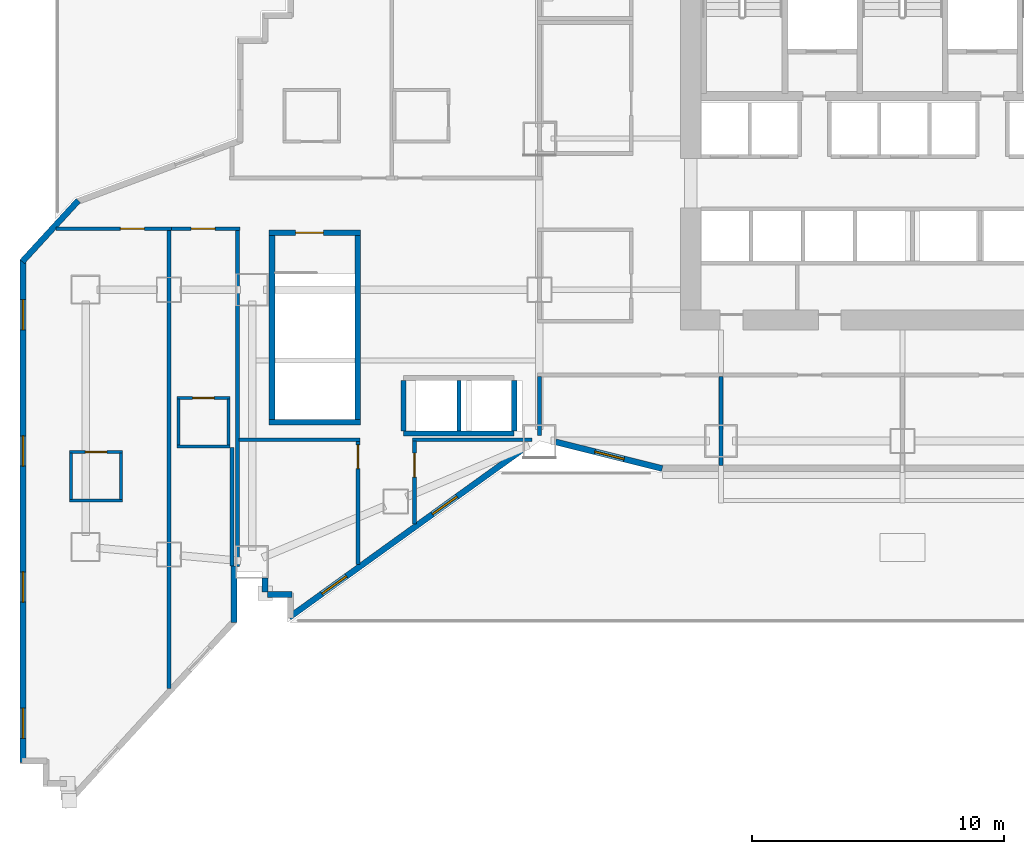
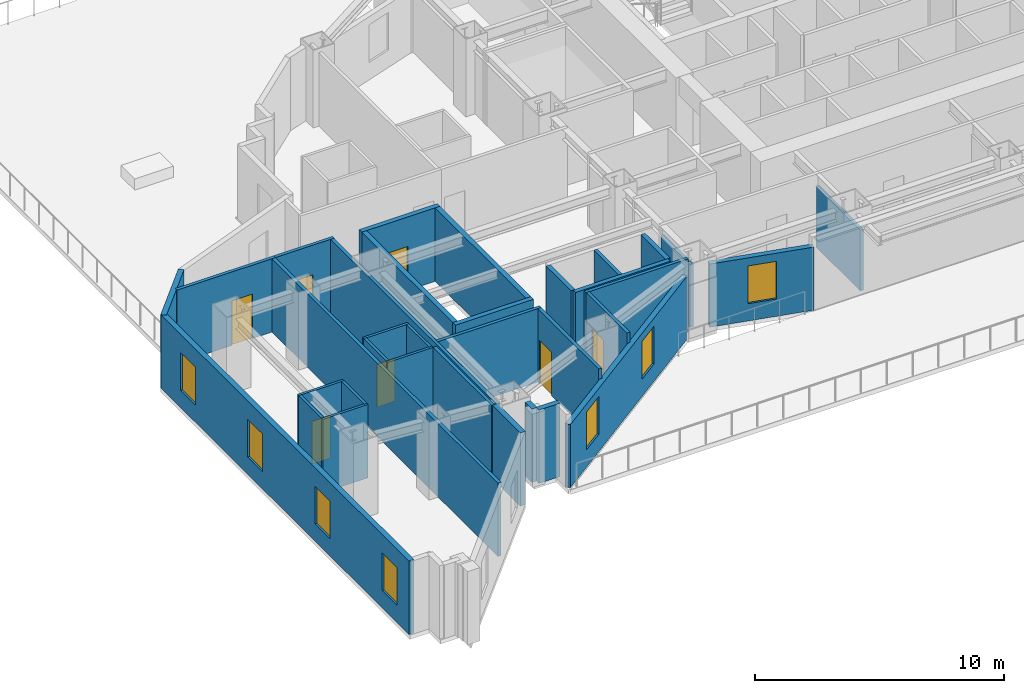
# One storey, part 7 of 20: 34 walls, 7 doors, 7 windows, 14 openings.
"""IFC4 building model written with IfcOpenShell, lengths in metres."""

from ifc_helpers import new_model, si_unit, direction, frame, frame_2d, origin, place, context, subcontext, project, spatial, rectangle, extrude, material, layer, layer_set, type_object, element, fill, save


model = new_model("IFC4")

# Units and contexts
model_context = context("Model", 3, precision=1e-05, world=origin(), true_north=direction((0.0, 1.0)))
body_context = subcontext(model_context, "Body", "Model", "MODEL_VIEW")
ifc_project = project(units=[si_unit("LENGTHUNIT", "METRE"), si_unit("AREAUNIT", "SQUARE_METRE"), si_unit("VOLUMEUNIT", "CUBIC_METRE"), si_unit("PLANEANGLEUNIT", "RADIAN"), si_unit("MASSUNIT", "GRAM", prefix="KILO")], contexts=[model_context])

# Site, building, storey
site_placement = place(None, origin())
site = spatial("IfcSite", under=ifc_project, at=site_placement, CompositionType="ELEMENT")
building_placement = place(site_placement, origin())
building = spatial("IfcBuilding", under=site, at=building_placement, Name="Haolan Belvedere Tower", CompositionType="ELEMENT")
storey_placement = place(building_placement, frame((0.0, 0.0, 24.0)))
storey = spatial("IfcBuildingStorey", under=building, at=storey_placement, Name="L05", CompositionType="ELEMENT", Elevation=24.0)

# Walls
ifc_material_1 = material(Name="Precast concrete C40/50", Category="concrete")
ifc_layer_1 = layer(ifc_material_1, 0.239990234375, Name="Precast concrete C40/50")
ifc_layer_set_1 = layer_set([ifc_layer_1], Name="Precast concrete C40/50")
wall_type_1 = type_object("IfcWallType", Name="WL-EXT-240", PredefinedType="SOLIDWALL", material=ifc_layer_set_1)
wall_1_placement = place(storey_placement, frame((11.8798828125, 14.3916015625, 0.0), z_axis=(0.0, 0.0, 1.0), x_axis=(0.0, 1.0, 0.0)))
element("IfcWall", 1, at=wall_1_placement, inside=storey, type_object=wall_type_1, Name="L05 pale-metal exterior spandrel wall 6.1", PredefinedType="SOLIDWALL", context=body_context, shape_type="SweptSolid", body=[
    extrude(rectangle(XDim=2.248291015625, YDim=0.239990234375, at=frame_2d((1.1240234375, 0.0))), origin(), (0.0, 0.0, 1.0), 3.60009765625),
])
wall_2_placement = place(storey_placement, frame((13.1201171875, 16.157958984375, 0.0), z_axis=(0.0, 0.0, 1.0), x_axis=(0.0, -1.0, 0.0)))
element("IfcWall", 2, at=wall_2_placement, inside=storey, type_object=wall_type_1, Name="L05 pale-metal exterior spandrel wall 8.1", PredefinedType="SOLIDWALL", context=body_context, shape_type="SweptSolid", body=[
    extrude(rectangle(XDim=0.552978515625, YDim=0.239990234375, at=frame_2d((0.2763671875, 0.0))), origin(), (0.0, 0.0, 1.0), 3.60009765625),
])
wall_3_placement = place(storey_placement, frame((13.205078125, 15.52001953125, 0.0), z_axis=(0.0, 0.0, 1.0), x_axis=(1.0, 0.0, 0.0)))
element("IfcWall", 3, at=wall_3_placement, inside=storey, type_object=wall_type_1, Name="L05 pale-metal exterior spandrel wall 9.1", PredefinedType="SOLIDWALL", context=body_context, shape_type="SweptSolid", body=[
    extrude(rectangle(XDim=0.969970703125, YDim=0.239990234375, at=frame_2d((0.48486328125, 0.0))), origin(), (0.0, 0.0, 1.0), 3.60009765625),
])

# Wall, openings, windows
wall_4_placement = place(storey_placement, frame((14.075439453125, 14.602294921875, 0.0), z_axis=(0.0, 0.0, 1.0), x_axis=(0.811535555989, 0.584303038984, 0.0)))
wall_4 = element("IfcWall", 4, at=wall_4_placement, inside=storey, type_object=wall_type_1, Name="L05 pale-metal exterior spandrel wall 11.1", PredefinedType="SOLIDWALL", context=body_context, shape_type="SweptSolid", body=[
    extrude(rectangle(XDim=11.438232421875, YDim=0.239990234375, at=frame_2d((5.71923828125, 0.0))), origin(), (0.0, 0.0, 1.0), 3.096923828125),
])
opening_1_placement = place(wall_4_placement, frame((1.60009765625, 0.0, 0.85009765625)))
opening_1 = element("IfcOpeningElement", 5, at=opening_1_placement, cuts=wall_4, Name="Opening W-01", PredefinedType="OPENING", context=body_context, shape_type="SweptSolid", body=[
    extrude(rectangle(XDim=1.199951171875, YDim=1.85009765625, at=frame_2d((0.60009765625, 0.925048828125))), frame((0.0, 0.1298828125, 0.0), z_axis=(0.0, -1.0, 0.0), x_axis=(1.0, 0.0, 0.0)), (0.0, 0.0, 1.0), 0.260009765625),
])
opening_2_placement = place(wall_4_placement, frame((7.0, 0.0, 0.85009765625)))
opening_2 = element("IfcOpeningElement", 6, at=opening_2_placement, cuts=wall_4, Name="Opening W-01", PredefinedType="OPENING", context=body_context, shape_type="SweptSolid", body=[
    extrude(rectangle(XDim=1.199951171875, YDim=1.85009765625, at=frame_2d((0.60009765625, 0.925048828125))), frame((0.0, 0.1298828125, 0.0), z_axis=(0.0, -1.0, 0.0), x_axis=(1.0, 0.0, 0.0)), (0.0, 0.0, 1.0), 0.260009765625),
])
ifc_material_2 = material(Name="Anodised aluminium 6063-T6 and Low-E glass", Category="aluminium")
window_type = type_object("IfcWindowType", Name="WN-DECO-Z1", PartitioningType="SINGLE_PANEL", PredefinedType="WINDOW", material=ifc_material_2)
window_1_placement = place(opening_1_placement, origin())
window_1 = element("IfcWindow", 7, at=window_1_placement, inside=storey, type_object=window_type, Name="L05 Art Deco chevron window 1", OverallHeight=1.85009765625, OverallWidth=1.199951171875, PartitioningType="SINGLE_PANEL", PredefinedType="WINDOW", context=body_context, shape_type="SweptSolid", body=[
    extrude(rectangle(XDim=1.199951171875, YDim=1.85009765625, at=frame_2d((0.60009765625, 0.925048828125))), frame((0.0, 0.030029296875, 0.0), z_axis=(0.0, -1.0, 0.0), x_axis=(1.0, 0.0, 0.0)), (0.0, 0.0, 1.0), 0.06005859375),
])
fill(opening_1, window_1)
window_2_placement = place(opening_2_placement, origin())
window_2 = element("IfcWindow", 8, at=window_2_placement, inside=storey, type_object=window_type, Name="L05 Art Deco chevron window 2", OverallHeight=1.85009765625, OverallWidth=1.199951171875, PartitioningType="SINGLE_PANEL", PredefinedType="WINDOW", context=body_context, shape_type="SweptSolid", body=[
    extrude(rectangle(XDim=1.199951171875, YDim=1.85009765625, at=frame_2d((0.60009765625, 0.925048828125))), frame((0.0, 0.030029296875, 0.0), z_axis=(0.0, -1.0, 0.0), x_axis=(1.0, 0.0, 0.0)), (0.0, 0.0, 1.0), 0.06005859375),
])
fill(opening_2, window_2)

# Wall, opening, window
wall_5_placement = place(storey_placement, frame((24.64208984375, 21.563232421875, 0.0), z_axis=(0.0, 0.0, 1.0), x_axis=(0.970135906278, -0.242561998982, 0.0)))
wall_5 = element("IfcWall", 9, at=wall_5_placement, inside=storey, type_object=wall_type_1, Name="L05 pale-metal exterior spandrel wall 12.1", PredefinedType="SOLIDWALL", context=body_context, shape_type="SweptSolid", body=[
    extrude(rectangle(XDim=4.356201171875, YDim=0.239990234375, at=frame_2d((2.17822265625, 0.0))), origin(), (0.0, 0.0, 1.0), 3.096923828125),
])
opening_3_placement = place(wall_5_placement, frame((1.60009765625, 0.0, 0.85009765625)))
opening_3 = element("IfcOpeningElement", 10, at=opening_3_placement, cuts=wall_5, Name="Opening W-01", PredefinedType="OPENING", context=body_context, shape_type="SweptSolid", body=[
    extrude(rectangle(XDim=1.199951171875, YDim=1.85009765625, at=frame_2d((0.60009765625, 0.925048828125))), frame((0.0, 0.1298828125, 0.0), z_axis=(0.0, -1.0, 0.0), x_axis=(1.0, 0.0, 0.0)), (0.0, 0.0, 1.0), 0.260009765625),
])
window_3_placement = place(opening_3_placement, origin())
window_3 = element("IfcWindow", 11, at=window_3_placement, inside=storey, type_object=window_type, Name="L05 Art Deco chevron window 1", OverallHeight=1.85009765625, OverallWidth=1.199951171875, PartitioningType="SINGLE_PANEL", PredefinedType="WINDOW", context=body_context, shape_type="SweptSolid", body=[
    extrude(rectangle(XDim=1.199951171875, YDim=1.85009765625, at=frame_2d((0.60009765625, 0.925048828125))), frame((0.0, 0.030029296875, 0.0), z_axis=(0.0, -1.0, 0.0), x_axis=(1.0, 0.0, 0.0)), (0.0, 0.0, 1.0), 0.06005859375),
])
fill(opening_3, window_3)

# Wall
wall_6_placement = place(storey_placement, frame((5.706298828125, 31.13818359375, 0.0), z_axis=(0.0, 0.0, 1.0), x_axis=(-0.675758228752, -0.737123338577, 0.0)))
element("IfcWall", 12, at=wall_6_placement, inside=storey, type_object=wall_type_1, Name="L05 pale-metal exterior spandrel wall 58.1", PredefinedType="SOLIDWALL", context=body_context, shape_type="SweptSolid", body=[
    extrude(rectangle(XDim=3.290283203125, YDim=0.239990234375, at=frame_2d((1.64501953125, 0.0))), origin(), (0.0, 0.0, 1.0), 3.60009765625),
])

# Wall, openings, windows
wall_7_placement = place(storey_placement, frame((3.52001953125, 28.808349609375, 0.0), z_axis=(0.0, 0.0, 1.0), x_axis=(0.0, -1.0, 0.0)))
wall_7 = element("IfcWall", 13, at=wall_7_placement, inside=storey, type_object=wall_type_1, Name="L05 pale-metal exterior spandrel wall 59.1", PredefinedType="SOLIDWALL", context=body_context, shape_type="SweptSolid", body=[
    extrude(rectangle(XDim=19.953369140625, YDim=0.239990234375, at=frame_2d((9.9765625, 0.0))), origin(), (0.0, 0.0, 1.0), 3.60009765625),
])
opening_4_placement = place(wall_7_placement, frame((1.60009765625, 0.0, 0.85009765625)))
opening_4 = element("IfcOpeningElement", 14, at=opening_4_placement, cuts=wall_7, Name="Opening W-01", PredefinedType="OPENING", context=body_context, shape_type="SweptSolid", body=[
    extrude(rectangle(XDim=1.199951171875, YDim=1.85009765625, at=frame_2d((0.60009765625, 0.925048828125))), frame((0.0, 0.1298828125, 0.0), z_axis=(0.0, -1.0, 0.0), x_axis=(1.0, 0.0, 0.0)), (0.0, 0.0, 1.0), 0.260009765625),
])
opening_5_placement = place(wall_7_placement, frame((7.0, 0.0, 0.85009765625)))
opening_5 = element("IfcOpeningElement", 15, at=opening_5_placement, cuts=wall_7, Name="Opening W-01", PredefinedType="OPENING", context=body_context, shape_type="SweptSolid", body=[
    extrude(rectangle(XDim=1.199951171875, YDim=1.85009765625, at=frame_2d((0.60009765625, 0.925048828125))), frame((0.0, 0.1298828125, 0.0), z_axis=(0.0, -1.0, 0.0), x_axis=(1.0, 0.0, 0.0)), (0.0, 0.0, 1.0), 0.260009765625),
])
opening_6_placement = place(wall_7_placement, frame((12.39990234375, 0.0, 0.85009765625)))
opening_6 = element("IfcOpeningElement", 16, at=opening_6_placement, cuts=wall_7, Name="Opening W-01", PredefinedType="OPENING", context=body_context, shape_type="SweptSolid", body=[
    extrude(rectangle(XDim=1.199951171875, YDim=1.85009765625, at=frame_2d((0.60009765625, 0.925048828125))), frame((0.0, 0.1298828125, 0.0), z_axis=(0.0, -1.0, 0.0), x_axis=(1.0, 0.0, 0.0)), (0.0, 0.0, 1.0), 0.260009765625),
])
opening_7_placement = place(wall_7_placement, frame((17.800048828125, 0.0, 0.85009765625)))
opening_7 = element("IfcOpeningElement", 17, at=opening_7_placement, cuts=wall_7, Name="Opening W-01", PredefinedType="OPENING", context=body_context, shape_type="SweptSolid", body=[
    extrude(rectangle(XDim=1.199951171875, YDim=1.85009765625, at=frame_2d((0.60009765625, 0.925048828125))), frame((0.0, 0.1298828125, 0.0), z_axis=(0.0, -1.0, 0.0), x_axis=(1.0, 0.0, 0.0)), (0.0, 0.0, 1.0), 0.260009765625),
])
window_4_placement = place(opening_4_placement, origin())
window_4 = element("IfcWindow", 18, at=window_4_placement, inside=storey, type_object=window_type, Name="L05 Art Deco chevron window 1", OverallHeight=1.85009765625, OverallWidth=1.199951171875, PartitioningType="SINGLE_PANEL", PredefinedType="WINDOW", context=body_context, shape_type="SweptSolid", body=[
    extrude(rectangle(XDim=1.199951171875, YDim=1.85009765625, at=frame_2d((0.60009765625, 0.925048828125))), frame((0.0, 0.030029296875, 0.0), z_axis=(0.0, -1.0, 0.0), x_axis=(1.0, 0.0, 0.0)), (0.0, 0.0, 1.0), 0.06005859375),
])
fill(opening_4, window_4)
window_5_placement = place(opening_5_placement, origin())
window_5 = element("IfcWindow", 19, at=window_5_placement, inside=storey, type_object=window_type, Name="L05 Art Deco chevron window 2", OverallHeight=1.85009765625, OverallWidth=1.199951171875, PartitioningType="SINGLE_PANEL", PredefinedType="WINDOW", context=body_context, shape_type="SweptSolid", body=[
    extrude(rectangle(XDim=1.199951171875, YDim=1.85009765625, at=frame_2d((0.60009765625, 0.925048828125))), frame((0.0, 0.030029296875, 0.0), z_axis=(0.0, -1.0, 0.0), x_axis=(1.0, 0.0, 0.0)), (0.0, 0.0, 1.0), 0.06005859375),
])
fill(opening_5, window_5)
window_6_placement = place(opening_6_placement, origin())
window_6 = element("IfcWindow", 20, at=window_6_placement, inside=storey, type_object=window_type, Name="L05 Art Deco chevron window 3", OverallHeight=1.85009765625, OverallWidth=1.199951171875, PartitioningType="SINGLE_PANEL", PredefinedType="WINDOW", context=body_context, shape_type="SweptSolid", body=[
    extrude(rectangle(XDim=1.199951171875, YDim=1.85009765625, at=frame_2d((0.60009765625, 0.925048828125))), frame((0.0, 0.030029296875, 0.0), z_axis=(0.0, -1.0, 0.0), x_axis=(1.0, 0.0, 0.0)), (0.0, 0.0, 1.0), 0.06005859375),
])
fill(opening_6, window_6)
window_7_placement = place(opening_7_placement, origin())
window_7 = element("IfcWindow", 21, at=window_7_placement, inside=storey, type_object=window_type, Name="L05 Art Deco chevron window 4", OverallHeight=1.85009765625, OverallWidth=1.199951171875, PartitioningType="SINGLE_PANEL", PredefinedType="WINDOW", context=body_context, shape_type="SweptSolid", body=[
    extrude(rectangle(XDim=1.199951171875, YDim=1.85009765625, at=frame_2d((0.60009765625, 0.925048828125))), frame((0.0, 0.030029296875, 0.0), z_axis=(0.0, -1.0, 0.0), x_axis=(1.0, 0.0, 0.0)), (0.0, 0.0, 1.0), 0.06005859375),
])
fill(opening_7, window_7)

# Walls
ifc_material_3 = material(Name="Double gypsum acoustic stud partition", Category="masonry")
ifc_layer_2 = layer(ifc_material_3, 0.14990234375, Name="Double gypsum acoustic stud partition")
ifc_layer_set_2 = layer_set([ifc_layer_2], Name="Double gypsum acoustic stud partition")
wall_type_2 = type_object("IfcWallType", Name="WL-PART-150", PredefinedType="PARTITIONING", material=ifc_layer_set_2)
wall_8_placement = place(storey_placement, frame((24.0, 21.818603515625, 0.0), z_axis=(0.0, 0.0, 1.0), x_axis=(0.0, 1.0, 0.0)))
element("IfcWall", 22, at=wall_8_placement, inside=storey, type_object=wall_type_2, Name="L05 interior partition IW-L05-KS1-W", PredefinedType="PARTITIONING", context=body_context, shape_type="SweptSolid", body=[
    extrude(rectangle(XDim=2.34130859375, YDim=0.14990234375, at=frame_2d((1.170654296875, 0.0))), origin(), (0.0, 0.0, 1.0), 3.096923828125),
])
wall_9_placement = place(storey_placement, frame((31.199951171875, 20.625, 0.0), z_axis=(0.0, 0.0, 1.0), x_axis=(0.0, 1.0, 0.0)))
element("IfcWall", 23, at=wall_9_placement, inside=storey, type_object=wall_type_2, Name="L05 interior partition IW-L05-KS1-E", PredefinedType="PARTITIONING", context=body_context, shape_type="SweptSolid", body=[
    extrude(rectangle(XDim=3.534912109375, YDim=0.14990234375, at=frame_2d((1.767578125, 0.0))), origin(), (0.0, 0.0, 1.0), 2.985107421875),
])

# Wall, opening, door
wall_10_placement = place(storey_placement, frame((4.823486328125, 30.02001953125, 0.0), z_axis=(0.0, 0.0, 1.0), x_axis=(1.0, 0.0, 0.0)))
wall_10 = element("IfcWall", 24, at=wall_10_placement, inside=storey, type_object=wall_type_2, Name="L05 interior partition IW-L05-T1S1-N", PredefinedType="PARTITIONING", context=body_context, shape_type="SweptSolid", body=[
    extrude(rectangle(XDim=4.576416015625, YDim=0.14990234375, at=frame_2d((2.2880859375, 0.0))), origin(), (0.0, 0.0, 1.0), 3.60009765625),
])
opening_8_placement = place(wall_10_placement, frame((3.5, 0.0, 0.0), z_axis=(0.0, 0.0, 1.0), x_axis=(-1.0, 0.0, 0.0)))
opening_8 = element("IfcOpeningElement", 25, at=opening_8_placement, cuts=wall_10, Name="Opening ID-01", PredefinedType="OPENING", context=body_context, shape_type="SweptSolid", body=[
    extrude(rectangle(XDim=0.949951171875, YDim=2.179931640625, at=frame_2d((0.47509765625, 1.08984375))), frame((0.0, 0.0849609375, 0.0), z_axis=(0.0, -1.0, 0.0), x_axis=(1.0, 0.0, 0.0)), (0.0, 0.0, 1.0), 0.169921875),
])
ifc_material_4 = material(Name="Acoustic walnut veneer fire-rated timber", Category="wood")
door_type_1 = type_object("IfcDoorType", Name="DR-SUITE-950", OperationType="NOTDEFINED", PredefinedType="DOOR", material=ifc_material_4)
door_1_placement = place(opening_8_placement, origin())
door_1 = element("IfcDoor", 26, at=door_1_placement, inside=storey, type_object=door_type_1, Name="L05 door ID-L05-T1S1-ENT", OperationType="SINGLE_SWING_LEFT", OverallHeight=2.179931640625, OverallWidth=0.949951171875, PredefinedType="DOOR", context=body_context, shape_type="SweptSolid", body=[
    extrude(rectangle(XDim=0.949951171875, YDim=2.179931640625, at=frame_2d((0.47509765625, 1.08984375))), frame((0.0, 0.02490234375, 0.0), z_axis=(0.0, -1.0, 0.0), x_axis=(1.0, 0.0, 0.0)), (0.0, 0.0, 1.0), 0.050048828125),
])
fill(opening_8, door_1)

# Wall
wall_11_placement = place(storey_placement, frame((9.300048828125, 11.79052734375, 0.0), z_axis=(0.0, 0.0, 1.0), x_axis=(0.0, 1.0, 0.0)))
element("IfcWall", 27, at=wall_11_placement, inside=storey, type_object=wall_type_2, Name="L05 interior partition IW-L05-T1S1-E", PredefinedType="PARTITIONING", context=body_context, shape_type="SweptSolid", body=[
    extrude(rectangle(XDim=18.16943359375, YDim=0.14990234375, at=frame_2d((9.084716796875, 0.0))), origin(), (0.0, 0.0, 1.0), 3.60009765625),
])

# Wall, opening, door
wall_12_placement = place(storey_placement, frame((9.402099609375, 30.02001953125, 0.0), z_axis=(0.0, 0.0, 1.0), x_axis=(1.0, 0.0, 0.0)))
wall_12 = element("IfcWall", 28, at=wall_12_placement, inside=storey, type_object=wall_type_2, Name="L05 interior partition IW-L05-T1S2-N", PredefinedType="PARTITIONING", context=body_context, shape_type="SweptSolid", body=[
    extrude(rectangle(XDim=2.718017578125, YDim=0.14990234375, at=frame_2d((1.35888671875, 0.0))), origin(), (0.0, 0.0, 1.0), 3.60009765625),
])
opening_9_placement = place(wall_12_placement, frame((1.73291015625, 0.0, 0.0), z_axis=(0.0, 0.0, 1.0), x_axis=(-1.0, 0.0, 0.0)))
opening_9 = element("IfcOpeningElement", 29, at=opening_9_placement, cuts=wall_12, Name="Opening ID-02", PredefinedType="OPENING", context=body_context, shape_type="SweptSolid", body=[
    extrude(rectangle(XDim=0.949951171875, YDim=2.14990234375, at=frame_2d((0.47509765625, 1.074951171875))), frame((0.0, 0.0849609375, 0.0), z_axis=(0.0, -1.0, 0.0), x_axis=(1.0, 0.0, 0.0)), (0.0, 0.0, 1.0), 0.169921875),
])
ifc_material_5 = material(Name="Acoustic oak veneer fire-rated timber", Category="wood")
door_type_2 = type_object("IfcDoorType", Name="DR-GUEST-950", OperationType="NOTDEFINED", PredefinedType="DOOR", material=ifc_material_5)
door_2_placement = place(opening_9_placement, origin())
door_2 = element("IfcDoor", 30, at=door_2_placement, inside=storey, type_object=door_type_2, Name="L05 door ID-L05-T1S2-ENT", OperationType="SINGLE_SWING_RIGHT", OverallHeight=2.14990234375, OverallWidth=0.949951171875, PredefinedType="DOOR", context=body_context, shape_type="SweptSolid", body=[
    extrude(rectangle(XDim=0.949951171875, YDim=2.14990234375, at=frame_2d((0.47509765625, 1.074951171875))), frame((0.0, 0.02490234375, 0.0), z_axis=(0.0, -1.0, 0.0), x_axis=(1.0, 0.0, 0.0)), (0.0, 0.0, 1.0), 0.050048828125),
])
fill(opening_9, door_2)

# Walls
wall_13_placement = place(storey_placement, frame((12.02001953125, 16.612060546875, 0.0), z_axis=(0.0, 0.0, 1.0), x_axis=(0.0, 1.0, 0.0)))
element("IfcWall", 31, at=wall_13_placement, inside=storey, type_object=wall_type_2, Name="L05 interior partition IW-L05-T1S2-E", PredefinedType="PARTITIONING", context=body_context, shape_type="SweptSolid", body=[
    extrude(rectangle(XDim=13.347900390625, YDim=0.14990234375, at=frame_2d((6.673828125, 0.0))), origin(), (0.0, 0.0, 1.0), 3.60009765625),
])
wall_14_placement = place(storey_placement, frame((18.9599609375, 21.64990234375, 0.0), z_axis=(0.0, 0.0, 1.0), x_axis=(1.0, 0.0, 0.0)))
element("IfcWall", 32, at=wall_14_placement, inside=storey, type_object=wall_type_2, Name="L05 interior partition IW-L05-GTLW-N", PredefinedType="PARTITIONING", context=body_context, shape_type="SweptSolid", body=[
    extrude(rectangle(XDim=4.74658203125, YDim=0.14990234375, at=frame_2d((2.373291015625, 0.0))), origin(), (0.0, 0.0, 1.0), 3.60009765625),
])

# Wall, opening, door
wall_15_placement = place(storey_placement, frame((19.0400390625, 18.30615234375, 0.0), z_axis=(0.0, 0.0, 1.0), x_axis=(0.0, 1.0, 0.0)))
wall_15 = element("IfcWall", 33, at=wall_15_placement, inside=storey, type_object=wall_type_2, Name="L05 interior partition IW-L05-GTLW-W", PredefinedType="PARTITIONING", context=body_context, shape_type="SweptSolid", body=[
    extrude(rectangle(XDim=3.283935546875, YDim=0.14990234375, at=frame_2d((1.64208984375, 0.0))), origin(), (0.0, 0.0, 1.0), 3.60009765625),
])
opening_10_placement = place(wall_15_placement, frame((1.861083984375, 0.0, 0.0)))
opening_10 = element("IfcOpeningElement", 34, at=opening_10_placement, cuts=wall_15, Name="Opening ID-03", PredefinedType="OPENING", context=body_context, shape_type="SweptSolid", body=[
    extrude(rectangle(XDim=0.949951171875, YDim=2.1201171875, at=frame_2d((0.47509765625, 1.06005859375))), frame((0.0, 0.0849609375, 0.0), z_axis=(0.0, -1.0, 0.0), x_axis=(1.0, 0.0, 0.0)), (0.0, 0.0, 1.0), 0.169921875),
])
ifc_material_6 = material(Name="Painted solid-core timber", Category="wood")
door_type_3 = type_object("IfcDoorType", Name="DR-INT-950", OperationType="NOTDEFINED", PredefinedType="DOOR", material=ifc_material_6)
door_3_placement = place(opening_10_placement, origin())
door_3 = element("IfcDoor", 35, at=door_3_placement, inside=storey, type_object=door_type_3, Name="L05 door ID-L05-GTLW", OperationType="SINGLE_SWING_LEFT", OverallHeight=2.1201171875, OverallWidth=0.949951171875, PredefinedType="DOOR", context=body_context, shape_type="SweptSolid", body=[
    extrude(rectangle(XDim=0.949951171875, YDim=2.1201171875, at=frame_2d((0.47509765625, 1.06005859375))), frame((0.0, 0.02490234375, 0.0), z_axis=(0.0, -1.0, 0.0), x_axis=(1.0, 0.0, 0.0)), (0.0, 0.0, 1.0), 0.050048828125),
])
fill(opening_10, door_3)

# Walls
wall_16_placement = place(storey_placement, frame((12.080078125, 21.64990234375, 0.0), z_axis=(0.0, 0.0, 1.0), x_axis=(1.0, 0.0, 0.0)))
element("IfcWall", 36, at=wall_16_placement, inside=storey, type_object=wall_type_2, Name="L05 interior partition IW-L05-GTLSW-N", PredefinedType="PARTITIONING", context=body_context, shape_type="SweptSolid", body=[
    extrude(rectangle(XDim=4.7998046875, YDim=0.14990234375, at=frame_2d((2.39990234375, 0.0))), origin(), (0.0, 0.0, 1.0), 3.60009765625),
])
wall_17_placement = place(storey_placement, frame((11.800048828125, 16.64208984375, 0.0), z_axis=(0.0, 0.0, 1.0), x_axis=(0.0, 1.0, 0.0)))
element("IfcWall", 37, at=wall_17_placement, inside=storey, type_object=wall_type_2, Name="L05 interior partition IW-L05-GTLSW-W", PredefinedType="PARTITIONING", context=body_context, shape_type="SweptSolid", body=[
    extrude(rectangle(XDim=4.702880859375, YDim=0.14990234375, at=frame_2d((2.3515625, 0.0))), origin(), (0.0, 0.0, 1.0), 3.60009765625),
])

# Wall, opening, door
wall_18_placement = place(storey_placement, frame((16.800048828125, 16.693359375, 0.0), z_axis=(0.0, 0.0, 1.0), x_axis=(0.0, 1.0, 0.0)))
wall_18 = element("IfcWall", 38, at=wall_18_placement, inside=storey, type_object=wall_type_2, Name="L05 interior partition IW-L05-GTLSW-E", PredefinedType="PARTITIONING", context=body_context, shape_type="SweptSolid", body=[
    extrude(rectangle(XDim=4.896728515625, YDim=0.14990234375, at=frame_2d((2.4482421875, 0.0))), origin(), (0.0, 0.0, 1.0), 3.60009765625),
])
opening_11_placement = place(wall_18_placement, frame((4.756591796875, 0.0, 0.0), z_axis=(0.0, 0.0, 1.0), x_axis=(-1.0, 0.0, 0.0)))
opening_11 = element("IfcOpeningElement", 39, at=opening_11_placement, cuts=wall_18, Name="Opening ID-03", PredefinedType="OPENING", context=body_context, shape_type="SweptSolid", body=[
    extrude(rectangle(XDim=0.949951171875, YDim=2.1201171875, at=frame_2d((0.47509765625, 1.06005859375))), frame((0.0, 0.0849609375, 0.0), z_axis=(0.0, -1.0, 0.0), x_axis=(1.0, 0.0, 0.0)), (0.0, 0.0, 1.0), 0.169921875),
])
door_4_placement = place(opening_11_placement, origin())
door_4 = element("IfcDoor", 40, at=door_4_placement, inside=storey, type_object=door_type_3, Name="L05 door ID-L05-GTLSW", OperationType="SINGLE_SWING_RIGHT", OverallHeight=2.1201171875, OverallWidth=0.949951171875, PredefinedType="DOOR", context=body_context, shape_type="SweptSolid", body=[
    extrude(rectangle(XDim=0.949951171875, YDim=2.1201171875, at=frame_2d((0.47509765625, 1.06005859375))), frame((0.0, 0.02490234375, 0.0), z_axis=(0.0, -1.0, 0.0), x_axis=(1.0, 0.0, 0.0)), (0.0, 0.0, 1.0), 0.050048828125),
])
fill(opening_11, door_4)

# Walls
ifc_material_7 = material(Name="Gypsum fire shaftwall assembly", Category="masonry")
ifc_layer_3 = layer(ifc_material_7, 0.1650390625, Name="Gypsum fire shaftwall assembly")
ifc_layer_set_3 = layer_set([ifc_layer_3], Name="Gypsum fire shaftwall assembly")
wall_type_3 = type_object("IfcWallType", Name="WL-SHAFT-160", PredefinedType="SOLIDWALL", material=ifc_layer_set_3)
wall_19_placement = place(storey_placement, frame((20.800048828125, 22.0, 0.0), z_axis=(0.0, 0.0, 1.0), x_axis=(0.0, 1.0, 0.0)))
element("IfcWall", 41, at=wall_19_placement, inside=storey, type_object=wall_type_3, Name="L05 interior partition IW-L05-PB-M", PredefinedType="SOLIDWALL", context=body_context, shape_type="SweptSolid", body=[
    extrude(rectangle(XDim=2.0, YDim=0.159912109375, at=frame_2d((1.0, 0.0))), origin(), (0.0, 0.0, 1.0), 3.60009765625),
])
ifc_layer_4 = layer(ifc_material_1, 0.205078125, Name="Precast concrete C40/50")
ifc_layer_set_4 = layer_set([ifc_layer_4], Name="Precast concrete C40/50")
wall_type_4 = type_object("IfcWallType", Name="WL-SHAFT-200", PredefinedType="SOLIDWALL", material=ifc_layer_set_4)
wall_20_placement = place(storey_placement, frame((18.60009765625, 21.89990234375, 0.0), z_axis=(0.0, 0.0, 1.0), x_axis=(1.0, 0.0, 0.0)))
element("IfcWall", 42, at=wall_20_placement, inside=storey, type_object=wall_type_4, Name="L05 interior partition IW-L05-PB-S", PredefinedType="SOLIDWALL", context=body_context, shape_type="SweptSolid", body=[
    extrude(rectangle(XDim=4.39990234375, YDim=0.199951171875, at=frame_2d((2.199951171875, 0.0))), origin(), (0.0, 0.0, 1.0), 3.60009765625),
])
for number, where, z_axis, x_axis, name in (
    (43, (18.60009765625, 22.0, 0.0), (0.0, 0.0, 1.0), (0.0, 1.0, 0.0), "L05 interior partition IW-L05-PB-W"),
    (44, (23.0, 22.0, 0.0), (0.0, 0.0, 1.0), (0.0, 1.0, 0.0), "L05 interior partition IW-L05-PB-E"),
):
    element("IfcWall", number, at=place(storey_placement, frame(where, z_axis=z_axis, x_axis=x_axis)), inside=storey, type_object=wall_type_4, Name=name, PredefinedType="SOLIDWALL", context=body_context, shape_type="SweptSolid", body=[
        extrude(rectangle(XDim=2.0, YDim=0.199951171875, at=frame_2d((1.0, 0.0))), origin(), (0.0, 0.0, 1.0), 3.60009765625),
    ])

# Wall, opening, door
ifc_material_8 = material(Name="Concrete C50/60", Category="concrete")
ifc_layer_5 = layer(ifc_material_8, 0.219970703125, Name="Concrete C50/60")
ifc_layer_set_5 = layer_set([ifc_layer_5], Name="Concrete C50/60")
wall_type_5 = type_object("IfcWallType", Name="WL-STAIR-220", PredefinedType="SHEAR", material=ifc_layer_set_5)
wall_21_placement = place(storey_placement, frame((13.280029296875, 29.860107421875, 0.0), z_axis=(0.0, 0.0, 1.0), x_axis=(1.0, 0.0, 0.0)))
wall_21 = element("IfcWall", 45, at=wall_21_placement, inside=storey, type_object=wall_type_5, Name="L05 podium stair ST4 structural shaft wall N", PredefinedType="SHEAR", context=body_context, shape_type="SweptSolid", body=[
    extrude(rectangle(XDim=3.619873046875, YDim=0.219970703125, at=frame_2d((1.81005859375, 0.0))), origin(), (0.0, 0.0, 1.0), 3.60009765625),
])
opening_12_placement = place(wall_21_placement, frame((1.050048828125, 0.0, 0.0)))
opening_12 = element("IfcOpeningElement", 46, at=opening_12_placement, cuts=wall_21, Name="Opening FD-03", PredefinedType="OPENING", context=body_context, shape_type="SweptSolid", body=[
    extrude(rectangle(XDim=1.10009765625, YDim=2.14990234375, at=frame_2d((0.550048828125, 1.074951171875))), frame((0.0, 0.119873046875, 0.0), z_axis=(0.0, -1.0, 0.0), x_axis=(1.0, 0.0, 0.0)), (0.0, 0.0, 1.0), 0.239990234375),
])
ifc_material_9 = material(Name="Galvanised fire-rated steel", Category="steel")
door_type_4 = type_object("IfcDoorType", Name="DR-FD90-1100", OperationType="NOTDEFINED", PredefinedType="DOOR", material=ifc_material_9)
door_5_placement = place(opening_12_placement, origin())
door_5 = element("IfcDoor", 47, at=door_5_placement, inside=storey, type_object=door_type_4, Name="L05 door ID-L05-D-ST4", OperationType="SINGLE_SWING_LEFT", OverallHeight=2.14990234375, OverallWidth=1.10009765625, PredefinedType="DOOR", context=body_context, shape_type="SweptSolid", body=[
    extrude(rectangle(XDim=1.10009765625, YDim=2.14990234375, at=frame_2d((0.550048828125, 1.074951171875))), frame((0.0, 0.02490234375, 0.0), z_axis=(0.0, -1.0, 0.0), x_axis=(1.0, 0.0, 0.0)), (0.0, 0.0, 1.0), 0.050048828125),
])
fill(opening_12, door_5)

# Walls
wall_22_placement = place(storey_placement, frame((13.280029296875, 22.340087890625, 0.0), z_axis=(0.0, 0.0, 1.0), x_axis=(1.0, 0.0, 0.0)))
element("IfcWall", 48, at=wall_22_placement, inside=storey, type_object=wall_type_5, Name="L05 podium stair ST4 structural shaft wall S", PredefinedType="SHEAR", context=body_context, shape_type="SweptSolid", body=[
    extrude(rectangle(XDim=3.619873046875, YDim=0.219970703125, at=frame_2d((1.81005859375, 0.0))), origin(), (0.0, 0.0, 1.0), 3.60009765625),
])
for number, where, z_axis, x_axis, name in (
    (49, (13.389892578125, 22.449951171875, 0.0), (0.0, 0.0, 1.0), (0.0, 1.0, 0.0), "L05 podium stair ST4 structural shaft wall W"),
    (50, (16.7900390625, 22.449951171875, 0.0), (0.0, 0.0, 1.0), (0.0, 1.0, 0.0), "L05 podium stair ST4 structural shaft wall E"),
):
    element("IfcWall", number, at=place(storey_placement, frame(where, z_axis=z_axis, x_axis=x_axis)), inside=storey, type_object=wall_type_5, Name=name, PredefinedType="SHEAR", context=body_context, shape_type="SweptSolid", body=[
        extrude(rectangle(XDim=7.300048828125, YDim=0.219970703125, at=frame_2d((3.64990234375, 0.0))), origin(), (0.0, 0.0, 1.0), 3.60009765625),
    ])

# Wall, opening, door
ifc_material_10 = material(Name="Moisture-resistant gypsum tile partition", Category="masonry")
ifc_layer_6 = layer(ifc_material_10, 0.1201171875, Name="Moisture-resistant gypsum tile partition")
ifc_layer_set_6 = layer_set([ifc_layer_6], Name="Moisture-resistant gypsum tile partition")
wall_type_6 = type_object("IfcWallType", Name="WL-WET-120", PredefinedType="PARTITIONING", material=ifc_layer_set_6)
wall_23_placement = place(storey_placement, frame((5.364990234375, 21.159912109375, 0.0), z_axis=(0.0, 0.0, 1.0), x_axis=(1.0, 0.0, 0.0)))
wall_23 = element("IfcWall", 51, at=wall_23_placement, inside=storey, type_object=wall_type_6, Name="L05 interior partition IW-L05-T1S1-BN", PredefinedType="PARTITIONING", context=body_context, shape_type="SweptSolid", body=[
    extrude(rectangle(XDim=2.10009765625, YDim=0.1201171875, at=frame_2d((1.050048828125, 0.0))), origin(), (0.0, 0.0, 1.0), 3.60009765625),
])
opening_13_placement = place(wall_23_placement, frame((1.47509765625, 0.0, 0.0), z_axis=(0.0, 0.0, 1.0), x_axis=(-1.0, 0.0, 0.0)))
opening_13 = element("IfcOpeningElement", 52, at=opening_13_placement, cuts=wall_23, Name="Opening ID-05", PredefinedType="OPENING", context=body_context, shape_type="SweptSolid", body=[
    extrude(rectangle(XDim=0.85009765625, YDim=2.10009765625, at=frame_2d((0.425048828125, 1.050048828125))), frame((0.0, 0.070068359375, 0.0), z_axis=(0.0, -1.0, 0.0), x_axis=(1.0, 0.0, 0.0)), (0.0, 0.0, 1.0), 0.14013671875),
])
ifc_material_11 = material(Name="Moisture-resistant lacquered timber", Category="wood")
door_type_5 = type_object("IfcDoorType", Name="DR-BATH-850", OperationType="NOTDEFINED", PredefinedType="DOOR", material=ifc_material_11)
door_6_placement = place(opening_13_placement, origin())
door_6 = element("IfcDoor", 53, at=door_6_placement, inside=storey, type_object=door_type_5, Name="L05 door ID-L05-T1S1-BATH", OperationType="SINGLE_SWING_RIGHT", OverallHeight=2.10009765625, OverallWidth=0.85009765625, PredefinedType="DOOR", context=body_context, shape_type="SweptSolid", body=[
    extrude(rectangle(XDim=0.85009765625, YDim=2.10009765625, at=frame_2d((0.425048828125, 1.050048828125))), frame((0.0, 0.02490234375, 0.0), z_axis=(0.0, -1.0, 0.0), x_axis=(1.0, 0.0, 0.0)), (0.0, 0.0, 1.0), 0.050048828125),
])
fill(opening_13, door_6)

# Walls
wall_24_placement = place(storey_placement, frame((5.364990234375, 19.239990234375, 0.0), z_axis=(0.0, 0.0, 1.0), x_axis=(1.0, 0.0, 0.0)))
element("IfcWall", 54, at=wall_24_placement, inside=storey, type_object=wall_type_6, Name="L05 interior partition IW-L05-T1S1-BS", PredefinedType="PARTITIONING", context=body_context, shape_type="SweptSolid", body=[
    extrude(rectangle(XDim=2.10009765625, YDim=0.1201171875, at=frame_2d((1.050048828125, 0.0))), origin(), (0.0, 0.0, 1.0), 3.60009765625),
])
for number, where, z_axis, x_axis, name in (
    (55, (5.425048828125, 19.284912109375, 0.0), (0.0, 0.0, 1.0), (0.0, 1.0, 0.0), "L05 interior partition IW-L05-T1S1-BW"),
    (56, (7.405029296875, 19.284912109375, 0.0), (0.0, 0.0, 1.0), (0.0, 1.0, 0.0), "L05 interior partition IW-L05-T1S1-BE"),
):
    element("IfcWall", number, at=place(storey_placement, frame(where, z_axis=z_axis, x_axis=x_axis)), inside=storey, type_object=wall_type_6, Name=name, PredefinedType="PARTITIONING", context=body_context, shape_type="SweptSolid", body=[
        extrude(rectangle(XDim=1.830078125, YDim=0.1201171875, at=frame_2d((0.9150390625, 0.0))), origin(), (0.0, 0.0, 1.0), 3.60009765625),
    ])

# Wall, opening, door
wall_25_placement = place(storey_placement, frame((9.617919921875, 23.31005859375, 0.0), z_axis=(0.0, 0.0, 1.0), x_axis=(1.0, 0.0, 0.0)))
wall_25 = element("IfcWall", 57, at=wall_25_placement, inside=storey, type_object=wall_type_6, Name="L05 interior partition IW-L05-T1S2-BN", PredefinedType="PARTITIONING", context=body_context, shape_type="SweptSolid", body=[
    extrude(rectangle(XDim=2.10009765625, YDim=0.1201171875, at=frame_2d((1.050048828125, 0.0))), origin(), (0.0, 0.0, 1.0), 3.60009765625),
])
opening_14_placement = place(wall_25_placement, frame((1.47509765625, 0.0, 0.0), z_axis=(0.0, 0.0, 1.0), x_axis=(-1.0, 0.0, 0.0)))
opening_14 = element("IfcOpeningElement", 58, at=opening_14_placement, cuts=wall_25, Name="Opening ID-05", PredefinedType="OPENING", context=body_context, shape_type="SweptSolid", body=[
    extrude(rectangle(XDim=0.85009765625, YDim=2.10009765625, at=frame_2d((0.425048828125, 1.050048828125))), frame((0.0, 0.070068359375, 0.0), z_axis=(0.0, -1.0, 0.0), x_axis=(1.0, 0.0, 0.0)), (0.0, 0.0, 1.0), 0.14013671875),
])
door_7_placement = place(opening_14_placement, origin())
door_7 = element("IfcDoor", 59, at=door_7_placement, inside=storey, type_object=door_type_5, Name="L05 door ID-L05-T1S2-BATH", OperationType="SINGLE_SWING_LEFT", OverallHeight=2.10009765625, OverallWidth=0.85009765625, PredefinedType="DOOR", context=body_context, shape_type="SweptSolid", body=[
    extrude(rectangle(XDim=0.85009765625, YDim=2.10009765625, at=frame_2d((0.425048828125, 1.050048828125))), frame((0.0, 0.02490234375, 0.0), z_axis=(0.0, -1.0, 0.0), x_axis=(1.0, 0.0, 0.0)), (0.0, 0.0, 1.0), 0.050048828125),
])
fill(opening_14, door_7)

# Walls
wall_26_placement = place(storey_placement, frame((9.617919921875, 21.389892578125, 0.0), z_axis=(0.0, 0.0, 1.0), x_axis=(1.0, 0.0, 0.0)))
element("IfcWall", 60, at=wall_26_placement, inside=storey, type_object=wall_type_6, Name="L05 interior partition IW-L05-T1S2-BS", PredefinedType="PARTITIONING", context=body_context, shape_type="SweptSolid", body=[
    extrude(rectangle(XDim=2.10009765625, YDim=0.1201171875, at=frame_2d((1.050048828125, 0.0))), origin(), (0.0, 0.0, 1.0), 3.60009765625),
])
for number, where, z_axis, x_axis, name in (
    (61, (9.677978515625, 21.43505859375, 0.0), (0.0, 0.0, 1.0), (0.0, 1.0, 0.0), "L05 interior partition IW-L05-T1S2-BW"),
    (62, (11.657958984375, 21.43505859375, 0.0), (0.0, 0.0, 1.0), (0.0, 1.0, 0.0), "L05 interior partition IW-L05-T1S2-BE"),
):
    element("IfcWall", number, at=place(storey_placement, frame(where, z_axis=z_axis, x_axis=x_axis)), inside=storey, type_object=wall_type_6, Name=name, PredefinedType="PARTITIONING", context=body_context, shape_type="SweptSolid", body=[
        extrude(rectangle(XDim=1.829833984375, YDim=0.1201171875, at=frame_2d((0.9150390625, 0.0))), origin(), (0.0, 0.0, 1.0), 3.60009765625),
    ])

save(model, "model.ifc")
